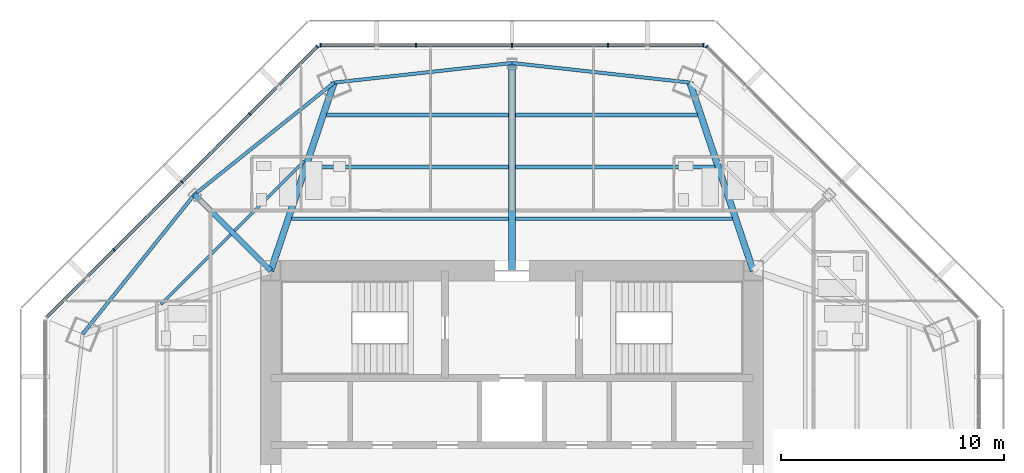
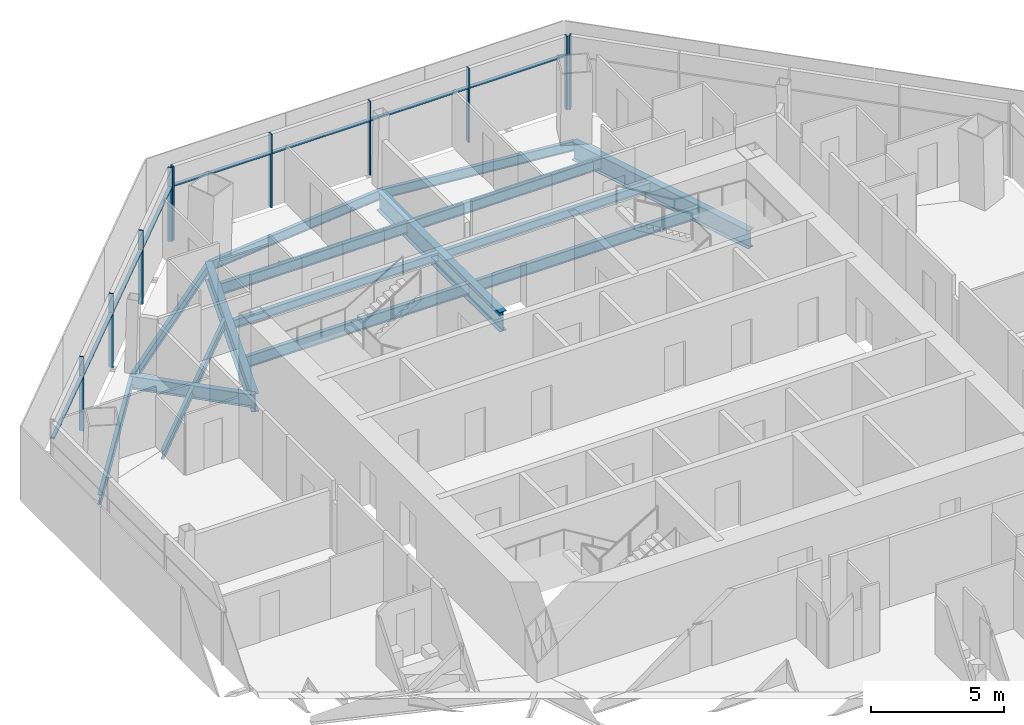
# One storey, part 5 of 14: 18 members, 16 beams, 3 elements without a shape of their own.
"""IFC4 building model written with IfcOpenShell, lengths in metres."""

from ifc_helpers import new_model, si_unit, direction, frame, origin, origin_2d, place, context, subcontext, project, spatial, rectangle, i_section, extrude, source, transform, mapped, material, material_profile, profile_set, type_object, type_shapes, element, aggregate, save


model = new_model("IFC4")

# Units and contexts
model_context = context("Model", 3, precision=1e-05, world=origin(), true_north=direction((0.0, 1.0)))
body_context = subcontext(model_context, "Body", "Model", "MODEL_VIEW")
ifc_project = project(units=[si_unit("LENGTHUNIT", "METRE"), si_unit("AREAUNIT", "SQUARE_METRE"), si_unit("VOLUMEUNIT", "CUBIC_METRE"), si_unit("PLANEANGLEUNIT", "RADIAN"), si_unit("MASSUNIT", "GRAM", prefix="KILO")], contexts=[model_context])

# Site, building, storey
site_placement = place(None, origin())
site = spatial("IfcSite", under=ifc_project, at=site_placement, CompositionType="ELEMENT")
building_placement = place(site_placement, origin())
building = spatial("IfcBuilding", under=site, at=building_placement, Name="Mashrafa Tower", CompositionType="ELEMENT")
storey_placement = place(building_placement, frame((0.0, 0.0, 251.60009765625)))
storey = spatial("IfcBuildingStorey", under=building, at=storey_placement, Name="L60", CompositionType="ELEMENT", Elevation=251.60009765625)

# Beams
ifc_material_1 = material(Name="Steel ASTM A992", Category="steel")
ifc_material_profile_1 = material_profile(ifc_material_1, i_section(OverallWidth=0.140380859375, OverallDepth=0.40380859375, WebThickness=0.007080078125, FlangeThickness=0.01123046875, FilletRadius=0.01025390625, at=origin_2d()), Name="W16X31")
ifc_profile_set_1 = profile_set([ifc_material_profile_1], Name="Steel ASTM A992")
beam_type_1 = type_object("IfcBeamType", Name="Beam W16X31", PredefinedType="BEAM", material=ifc_profile_set_1)
for number, where, z_axis, x_axis, name in (
    (1, (-15.71630859375, 9.298583984375, -0.402099609375), (0.707079188391, 0.707134372906, 0.0), (-0.707134372906, 0.707079188391, 0.0), "Floor beam L60 003"),
    (2, (-12.427001953125, 12.588134765625, -0.402099609375), (0.707134372906, 0.707079188391, 0.0), (-0.707079188391, 0.707134372906, 0.0), "Floor beam L60 009"),
):
    element("IfcBeam", number, at=place(storey_placement, frame(where, z_axis=z_axis, x_axis=x_axis)), inside=storey, type_object=beam_type_1, Name=name, PredefinedType="BEAM", context=body_context, shape_type="SweptSolid", body=[
        extrude(i_section(OverallWidth=0.140380859375, OverallDepth=0.40380859375, WebThickness=0.007080078125, FlangeThickness=0.01123046875, FilletRadius=0.01025390625, at=origin_2d()), origin(), (0.0, 0.0, 1.0), 4.424072265625),
    ])
ifc_material_2 = material(Name="Steel ASTM A992", Category="steel")
ifc_material_profile_2 = material_profile(ifc_material_2, i_section(OverallWidth=0.177734375, OverallDepth=0.406494140625, WebThickness=0.0078125, FlangeThickness=0.012939453125, FilletRadius=0.01025390625, at=origin_2d()), Name="W16X40")
ifc_profile_set_2 = profile_set([ifc_material_profile_2], Name="Steel ASTM A992")
beam_type_2 = type_object("IfcBeamType", Name="Beam W16X40", PredefinedType="BEAM", material=ifc_profile_set_2)
for number, where, z_axis, x_axis, name in (
    (3, (-9.07958984375, 15.451416015625, -0.4033203125), (1.0, 0.0, 0.0), (0.0, 1.0, 0.0), "Floor beam L60 011"),
    (4, (0.15234375, 15.451416015625, -0.4033203125), (1.0, 0.0, 0.0), (0.0, 1.0, 0.0), "Floor beam L60 018"),
):
    element("IfcBeam", number, at=place(storey_placement, frame(where, z_axis=z_axis, x_axis=x_axis)), inside=storey, type_object=beam_type_2, Name=name, PredefinedType="BEAM", context=body_context, shape_type="SweptSolid", body=[
        extrude(i_section(OverallWidth=0.177734375, OverallDepth=0.406494140625, WebThickness=0.0078125, FlangeThickness=0.012939453125, FilletRadius=0.01025390625, at=origin_2d()), origin(), (0.0, 0.0, 1.0), 8.92724609375),
    ])
ifc_material_3 = material(Name="Steel ASTM A992", Category="steel")
ifc_material_profile_3 = material_profile(ifc_material_3, i_section(OverallWidth=0.15234375, OverallDepth=0.449462890625, WebThickness=0.007568359375, FlangeThickness=0.0107421875, FilletRadius=0.01025390625, at=origin_2d()), Name="W18X35")
ifc_profile_set_3 = profile_set([ifc_material_profile_3], Name="Steel ASTM A992")
beam_type_3 = type_object("IfcBeamType", Name="Beam W18X35", PredefinedType="BEAM", material=ifc_profile_set_3)
for number, where, z_axis, x_axis, name in (
    (5, (-14.21484375, 14.21484375, -0.4248046875), (-0.625352613785, -0.780342302091, 0.0), (0.780342302091, -0.625352613785, 0.0), "Spandrel beam L60 053"),
    (6, (-7.963134765625, 19.224853515625, -0.4248046875), (-0.780342302091, -0.625352613785, 0.0), (0.625352613785, -0.780342302091, 0.0), "Spandrel beam L60 055"),
    (7, (0.0, 20.10302734375, -0.4248046875), (-0.993974078667, -0.109615377287, 0.0), (0.109615377287, -0.993974078667, 0.0), "Spandrel beam L60 057"),
    (8, (7.963134765625, 19.224853515625, -0.4248046875), (-0.993974078667, 0.109615377287, 0.0), (-0.109615377287, -0.993974078667, 0.0), "Spandrel beam L60 059"),
):
    element("IfcBeam", number, at=place(storey_placement, frame(where, z_axis=z_axis, x_axis=x_axis)), inside=storey, type_object=beam_type_3, Name=name, PredefinedType="BEAM", context=body_context, shape_type="SweptSolid", body=[
        extrude(i_section(OverallWidth=0.15234375, OverallDepth=0.449462890625, WebThickness=0.007568359375, FlangeThickness=0.0107421875, FilletRadius=0.01025390625, at=origin_2d()), origin(), (0.0, 0.0, 1.0), 8.011474609375),
    ])
ifc_material_4 = material(Name="Steel ASTM A992", Category="steel")
ifc_material_profile_4 = material_profile(ifc_material_4, i_section(OverallWidth=0.165771484375, OverallDepth=0.5283203125, WebThickness=0.009765625, FlangeThickness=0.013671875, FilletRadius=0.012939453125, at=origin_2d()), Name="W21X50")
ifc_profile_set_4 = profile_set([ifc_material_profile_4], Name="Steel ASTM A992")
beam_type_4 = type_object("IfcBeamType", Name="Beam W21X50", PredefinedType="BEAM", material=ifc_profile_set_4)
beam_1_placement = place(storey_placement, frame((-9.86279296875, 13.125732421875, -0.46435546875), z_axis=(1.0, 0.0, 0.0), x_axis=(0.0, 1.0, 0.0)))
element("IfcBeam", 9, at=beam_1_placement, inside=storey, type_object=beam_type_4, Name="Floor beam L60 010", PredefinedType="BEAM", context=body_context, shape_type="SweptSolid", body=[
    extrude(i_section(OverallWidth=0.165771484375, OverallDepth=0.5283203125, WebThickness=0.009765625, FlangeThickness=0.013671875, FilletRadius=0.012939453125, at=origin_2d()), origin(), (0.0, 0.0, 1.0), 9.71044921875),
])
beam_2_placement = place(storey_placement, frame((-8.29638671875, 17.77734375, -0.46435546875), z_axis=(1.0, 0.0, 0.0), x_axis=(0.0, 1.0, 0.0)))
element("IfcBeam", 10, at=beam_2_placement, inside=storey, type_object=beam_type_4, Name="Floor beam L60 013", PredefinedType="BEAM", context=body_context, shape_type="SweptSolid", body=[
    extrude(i_section(OverallWidth=0.165771484375, OverallDepth=0.5283203125, WebThickness=0.009765625, FlangeThickness=0.013671875, FilletRadius=0.012939453125, at=origin_2d()), origin(), (0.0, 0.0, 1.0), 8.14404296875),
])
beam_3_placement = place(storey_placement, frame((0.15234375, 13.125732421875, -0.46435546875), z_axis=(1.0, 0.0, 0.0), x_axis=(0.0, 1.0, 0.0)))
element("IfcBeam", 11, at=beam_3_placement, inside=storey, type_object=beam_type_4, Name="Floor beam L60 017", PredefinedType="BEAM", context=body_context, shape_type="SweptSolid", body=[
    extrude(i_section(OverallWidth=0.165771484375, OverallDepth=0.5283203125, WebThickness=0.009765625, FlangeThickness=0.013671875, FilletRadius=0.012939453125, at=origin_2d()), origin(), (0.0, 0.0, 1.0), 9.71044921875),
])
beam_4_placement = place(storey_placement, frame((0.15234375, 17.77734375, -0.46435546875), z_axis=(1.0, 0.0, 0.0), x_axis=(0.0, 1.0, 0.0)))
element("IfcBeam", 12, at=beam_4_placement, inside=storey, type_object=beam_type_4, Name="Floor beam L60 019", PredefinedType="BEAM", context=body_context, shape_type="SweptSolid", body=[
    extrude(i_section(OverallWidth=0.165771484375, OverallDepth=0.5283203125, WebThickness=0.009765625, FlangeThickness=0.013671875, FilletRadius=0.012939453125, at=origin_2d()), origin(), (0.0, 0.0, 1.0), 8.14404296875),
])
ifc_material_5 = material(Name="Steel ASTM A992", Category="steel")
ifc_material_profile_5 = material_profile(ifc_material_5, i_section(OverallWidth=0.227783203125, OverallDepth=0.60205078125, WebThickness=0.010498046875, FlangeThickness=0.014892578125, FilletRadius=0.012939453125, at=origin_2d()), Name="W24X68")
ifc_profile_set_5 = profile_set([ifc_material_profile_5], Name="Steel ASTM A992")
beam_type_5 = type_object("IfcBeamType", Name="Beam W24X68", PredefinedType="BEAM", material=ifc_profile_set_5)
beam_5_placement = place(storey_placement, frame((-10.800048828125, 10.800048828125, -0.5009765625), z_axis=(-0.707106781187, 0.707106781187, 0.0), x_axis=(-0.707106781187, -0.707106781187, 0.0)))
element("IfcBeam", 13, at=beam_5_placement, inside=storey, type_object=beam_type_5, Name="Radial girder L60 038", PredefinedType="BEAM", context=body_context, shape_type="SweptSolid", body=[
    extrude(i_section(OverallWidth=0.227783203125, OverallDepth=0.60205078125, WebThickness=0.010498046875, FlangeThickness=0.014892578125, FilletRadius=0.012939453125, at=origin_2d()), origin(), (0.0, 0.0, 1.0), 4.829345703125),
])
ifc_material_6 = material(Name="Steel ASTM A992", Category="steel")
ifc_material_profile_6 = material_profile(ifc_material_6, i_section(OverallWidth=0.2919921875, OverallDepth=0.8408203125, WebThickness=0.0146484375, FlangeThickness=0.021728515625, FilletRadius=0.017333984375, at=origin_2d()), Name="W33X130")
ifc_profile_set_6 = profile_set([ifc_material_profile_6], Name="Steel ASTM A992")
beam_type_6 = type_object("IfcBeamType", Name="Beam W33X130", PredefinedType="BEAM", material=ifc_profile_set_6)
for number, where, z_axis, x_axis, name in (
    (14, (-10.800048828125, 10.800048828125, -0.620361328125), (0.319126439146, 0.947712148196, 0.0), (-0.947712148196, 0.319126439146, 0.0), "Radial girder L60 039"),
    (15, (10.800048828125, 10.800048828125, -0.620361328125), (-0.319126439146, 0.947712148196, 0.0), (-0.947712148196, -0.319126439146, 0.0), "Radial girder L60 046"),
):
    element("IfcBeam", number, at=place(storey_placement, frame(where, z_axis=z_axis, x_axis=x_axis)), inside=storey, type_object=beam_type_6, Name=name, PredefinedType="BEAM", context=body_context, shape_type="SweptSolid", body=[
        extrude(i_section(OverallWidth=0.2919921875, OverallDepth=0.8408203125, WebThickness=0.0146484375, FlangeThickness=0.021728515625, FilletRadius=0.017333984375, at=origin_2d()), origin(), (0.0, 0.0, 1.0), 8.8896484375),
    ])
ifc_material_7 = material(Name="Steel ASTM A992", Category="steel")
ifc_material_profile_7 = material_profile(ifc_material_7, i_section(OverallWidth=0.3046875, OverallDepth=0.911865234375, WebThickness=0.015869140625, FlangeThickness=0.02392578125, FilletRadius=0.01904296875, at=origin_2d()), Name="W36X150")
ifc_profile_set_7 = profile_set([ifc_material_profile_7], Name="Steel ASTM A992")
beam_type_7 = type_object("IfcBeamType", Name="Beam W36X150", PredefinedType="BEAM", material=ifc_profile_set_7)
beam_6_placement = place(storey_placement, frame((0.0, 10.800048828125, -0.656005859375), z_axis=(0.0, 1.0, 0.0), x_axis=(-1.0, 0.0, 0.0)))
element("IfcBeam", 16, at=beam_6_placement, inside=storey, type_object=beam_type_7, Name="Radial girder L60 041", PredefinedType="BEAM", context=body_context, shape_type="SweptSolid", body=[
    extrude(i_section(OverallWidth=0.3046875, OverallDepth=0.911865234375, WebThickness=0.015869140625, FlangeThickness=0.02392578125, FilletRadius=0.01904296875, at=origin_2d()), origin(), (0.0, 0.0, 1.0), 9.302978515625),
])

# Curtain wall, member
ifc_material_8 = material(Name="Unitised aluminium curtain wall", Category="aluminium")
curtain_wall_type = type_object("IfcCurtainWallType", Name="Apartment curtain wall, zone 3 CW-C 180 deep", PredefinedType="NOTDEFINED", material=ifc_material_8)
curtain_wall_1_placement = place(storey_placement, origin())
curtain_wall_1 = element("IfcCurtainWall", 17, at=curtain_wall_1_placement, inside=storey, type_object=curtain_wall_type, Name="Apartment curtain wall, zone 3 L60 north-east", PredefinedType="NOTDEFINED")
ifc_material_9 = material(Name="Extruded aluminium mullion", Category="aluminium")
ifc_material_profile_8 = material_profile(ifc_material_9, rectangle(XDim=0.179931640625, YDim=0.06005859375, at=origin_2d()), Name="Mullion 60x180")
ifc_profile_set_8 = profile_set([ifc_material_profile_8], Name="Extruded aluminium mullion")
member_type_1 = type_object("IfcMemberType", Name="Mullion CW-C 60 x 180", PredefinedType="MULLION", material=ifc_profile_set_8)
shared_shape_1 = source(origin(), body_context, "Body", "SweptSolid", [
    extrude(rectangle(XDim=0.179931640625, YDim=0.06005859375, at=origin_2d()), origin(), (0.0, 0.0, 1.0), 3.39990234375),
])
type_shapes(member_type_1, [shared_shape_1])
member_1_placement = place(storey_placement, frame((8.710693359375, 20.8427734375, 0.0), z_axis=(0.0, 0.0, 1.0), x_axis=(-0.707106781187, -0.707106781187, 0.0)))
member_1 = element("IfcMember", 18, at=member_1_placement, type_object=member_type_1, Name="CW-C mullion 5", PredefinedType="MULLION", context=body_context, shape_type="MappedRepresentation", body=[
    mapped(shared_shape_1, transform((0.0, 0.0, 0.0))),
])
aggregate(curtain_wall_1, [member_1])

# Curtain wall, members
curtain_wall_2_placement = place(storey_placement, origin())
curtain_wall_2 = element("IfcCurtainWall", 19, at=curtain_wall_2_placement, inside=storey, type_object=curtain_wall_type, Name="Apartment curtain wall, zone 3 L60 north", PredefinedType="NOTDEFINED")
member_2_placement = place(storey_placement, frame((8.57861328125, 20.897216796875, 0.0), z_axis=(0.0, 0.0, 1.0), x_axis=(0.0, -1.0, 0.0)))
member_2 = element("IfcMember", 20, at=member_2_placement, type_object=member_type_1, Name="CW-C mullion 1", PredefinedType="MULLION", context=body_context, shape_type="MappedRepresentation", body=[
    mapped(shared_shape_1, transform((0.0, 0.0, 0.0))),
])
member_3_placement = place(storey_placement, frame((4.304443359375, 20.897216796875, 0.0), z_axis=(0.0, 0.0, 1.0), x_axis=(0.0, -1.0, 0.0)))
member_3 = element("IfcMember", 21, at=member_3_placement, type_object=member_type_1, Name="CW-C mullion 2", PredefinedType="MULLION", context=body_context, shape_type="MappedRepresentation", body=[
    mapped(shared_shape_1, transform((0.0, 0.0, 0.0))),
])
member_4_placement = place(storey_placement, frame((0.0, 20.897216796875, 0.0), z_axis=(0.0, 0.0, 1.0), x_axis=(0.0, -1.0, 0.0)))
member_4 = element("IfcMember", 22, at=member_4_placement, type_object=member_type_1, Name="CW-C mullion 3", PredefinedType="MULLION", context=body_context, shape_type="MappedRepresentation", body=[
    mapped(shared_shape_1, transform((0.0, 0.0, 0.0))),
])
member_5_placement = place(storey_placement, frame((-4.304443359375, 20.897216796875, 0.0), z_axis=(0.0, 0.0, 1.0), x_axis=(0.0, -1.0, 0.0)))
member_5 = element("IfcMember", 23, at=member_5_placement, type_object=member_type_1, Name="CW-C mullion 4", PredefinedType="MULLION", context=body_context, shape_type="MappedRepresentation", body=[
    mapped(shared_shape_1, transform((0.0, 0.0, 0.0))),
])
member_6_placement = place(storey_placement, frame((-8.57861328125, 20.897216796875, 0.0), z_axis=(0.0, 0.0, 1.0), x_axis=(0.0, -1.0, 0.0)))
member_6 = element("IfcMember", 24, at=member_6_placement, type_object=member_type_1, Name="CW-C mullion 5", PredefinedType="MULLION", context=body_context, shape_type="MappedRepresentation", body=[
    mapped(shared_shape_1, transform((0.0, 0.0, 0.0))),
])

curtain_wall_3_placement = place(storey_placement, origin())
curtain_wall_3 = element("IfcCurtainWall", 25, at=curtain_wall_3_placement, inside=storey, type_object=curtain_wall_type, Name="Apartment curtain wall, zone 3 L60 north-west", PredefinedType="NOTDEFINED")
member_7_placement = place(storey_placement, frame((-8.710693359375, 20.8427734375, 0.0), z_axis=(0.0, 0.0, 1.0), x_axis=(0.707106781187, -0.707106781187, 0.0)))
member_7 = element("IfcMember", 26, at=member_7_placement, type_object=member_type_1, Name="CW-C mullion 1", PredefinedType="MULLION", context=body_context, shape_type="MappedRepresentation", body=[
    mapped(shared_shape_1, transform((0.0, 0.0, 0.0))),
])
member_8_placement = place(storey_placement, frame((-11.73291015625, 17.8203125, 0.0), z_axis=(0.0, 0.0, 1.0), x_axis=(0.707106781187, -0.707106781187, 0.0)))
member_8 = element("IfcMember", 27, at=member_8_placement, type_object=member_type_1, Name="CW-C mullion 2", PredefinedType="MULLION", context=body_context, shape_type="MappedRepresentation", body=[
    mapped(shared_shape_1, transform((0.0, 0.0, 0.0))),
])
member_9_placement = place(storey_placement, frame((-14.776611328125, 14.776611328125, 0.0), z_axis=(0.0, 0.0, 1.0), x_axis=(0.707106781187, -0.707106781187, 0.0)))
member_9 = element("IfcMember", 28, at=member_9_placement, type_object=member_type_1, Name="CW-C mullion 3", PredefinedType="MULLION", context=body_context, shape_type="MappedRepresentation", body=[
    mapped(shared_shape_1, transform((0.0, 0.0, 0.0))),
])
member_10_placement = place(storey_placement, frame((-17.8203125, 11.73291015625, 0.0), z_axis=(0.0, 0.0, 1.0), x_axis=(0.707106781187, -0.707106781187, 0.0)))
member_10 = element("IfcMember", 29, at=member_10_placement, type_object=member_type_1, Name="CW-C mullion 4", PredefinedType="MULLION", context=body_context, shape_type="MappedRepresentation", body=[
    mapped(shared_shape_1, transform((0.0, 0.0, 0.0))),
])

# Member
ifc_material_10 = material(Name="Extruded aluminium transom", Category="aluminium")
ifc_material_profile_9 = material_profile(ifc_material_10, rectangle(XDim=0.14404296875, YDim=0.074951171875, at=origin_2d()), Name="Transom 75x144")
ifc_profile_set_9 = profile_set([ifc_material_profile_9], Name="Extruded aluminium transom")
member_type_2 = type_object("IfcMemberType", Name="Transom CW-C 75 x 144", PredefinedType="MULLION", material=ifc_profile_set_9)
shared_shape_2 = source(origin(), body_context, "Body", "SweptSolid", [
    extrude(rectangle(XDim=0.14404296875, YDim=0.074951171875, at=origin_2d()), origin(), (0.0, 0.0, 1.0), 4.21435546875),
])
member_11_placement = place(storey_placement, frame((8.548583984375, 20.897216796875, 2.5), z_axis=(-1.0, 0.0, 0.0), x_axis=(0.0, -1.0, 0.0)))
member_11 = element("IfcMember", 30, at=member_11_placement, type_object=member_type_2, Name="CW-C transom 1", PredefinedType="MULLION", context=body_context, shape_type="MappedRepresentation", body=[
    mapped(shared_shape_2, transform((0.0, 0.0, 0.0))),
])

member_12_placement = place(storey_placement, frame((-4.334228515625, 20.897216796875, 2.5), z_axis=(-1.0, 0.0, 0.0), x_axis=(0.0, -1.0, 0.0)))
member_12 = element("IfcMember", 31, at=member_12_placement, type_object=member_type_2, Name="CW-C transom 4", PredefinedType="MULLION", context=body_context, shape_type="MappedRepresentation", body=[
    mapped(shared_shape_2, transform((0.0, 0.0, 0.0))),
])

shared_shape_3 = source(origin(), body_context, "Body", "SweptSolid", [
    extrude(rectangle(XDim=0.14404296875, YDim=0.074951171875, at=origin_2d()), origin(), (0.0, 0.0, 1.0), 4.244384765625),
])
member_13_placement = place(storey_placement, frame((4.2744140625, 20.897216796875, 2.5), z_axis=(-1.0, 0.0, 0.0), x_axis=(0.0, -1.0, 0.0)))
member_13 = element("IfcMember", 32, at=member_13_placement, type_object=member_type_2, Name="CW-C transom 2", PredefinedType="MULLION", context=body_context, shape_type="MappedRepresentation", body=[
    mapped(shared_shape_3, transform((0.0, 0.0, 0.0))),
])

member_14_placement = place(storey_placement, frame((-0.030029296875, 20.897216796875, 2.5), z_axis=(-1.0, 0.0, 0.0), x_axis=(0.0, -1.0, 0.0)))
member_14 = element("IfcMember", 33, at=member_14_placement, type_object=member_type_2, Name="CW-C transom 3", PredefinedType="MULLION", context=body_context, shape_type="MappedRepresentation", body=[
    mapped(shared_shape_3, transform((0.0, 0.0, 0.0))),
])

aggregate(curtain_wall_2, [member_2, member_3, member_4, member_5, member_6, member_11, member_13, member_14, member_12])

member_15_placement = place(storey_placement, frame((-11.754150390625, 17.799072265625, 2.5), z_axis=(-0.707106781187, -0.707106781187, 0.0), x_axis=(0.707106781187, -0.707106781187, 0.0)))
member_15 = element("IfcMember", 34, at=member_15_placement, type_object=member_type_2, Name="CW-C transom 2", PredefinedType="MULLION", context=body_context, shape_type="MappedRepresentation", body=[
    mapped(shared_shape_3, transform((0.0, 0.0, 0.0))),
])

member_16_placement = place(storey_placement, frame((-14.7978515625, 14.75537109375, 2.5), z_axis=(-0.707106781187, -0.707106781187, 0.0), x_axis=(0.707106781187, -0.707106781187, 0.0)))
member_16 = element("IfcMember", 35, at=member_16_placement, type_object=member_type_2, Name="CW-C transom 3", PredefinedType="MULLION", context=body_context, shape_type="MappedRepresentation", body=[
    mapped(shared_shape_3, transform((0.0, 0.0, 0.0))),
])

shared_shape_4 = source(origin(), body_context, "Body", "SweptSolid", [
    extrude(rectangle(XDim=0.14404296875, YDim=0.074951171875, at=origin_2d()), origin(), (0.0, 0.0, 1.0), 4.214599609375),
])
type_shapes(member_type_2, [shared_shape_2, shared_shape_3, shared_shape_4])
member_17_placement = place(storey_placement, frame((-8.731689453125, 20.821533203125, 2.5), z_axis=(-0.707135744948, -0.707077816239, 0.0), x_axis=(0.707077816239, -0.707135744948, 0.0)))
member_17 = element("IfcMember", 36, at=member_17_placement, type_object=member_type_2, Name="CW-C transom 1", PredefinedType="MULLION", context=body_context, shape_type="MappedRepresentation", body=[
    mapped(shared_shape_4, transform((0.0, 0.0, 0.0))),
])

member_18_placement = place(storey_placement, frame((-17.841552734375, 11.7119140625, 2.5), z_axis=(-0.707077816239, -0.707135744948, 0.0), x_axis=(0.707135744948, -0.707077816239, 0.0)))
member_18 = element("IfcMember", 37, at=member_18_placement, type_object=member_type_2, Name="CW-C transom 4", PredefinedType="MULLION", context=body_context, shape_type="MappedRepresentation", body=[
    mapped(shared_shape_4, transform((0.0, 0.0, 0.0))),
])

aggregate(curtain_wall_3, [member_7, member_8, member_9, member_10, member_17, member_15, member_16, member_18])

save(model, "model.ifc")
